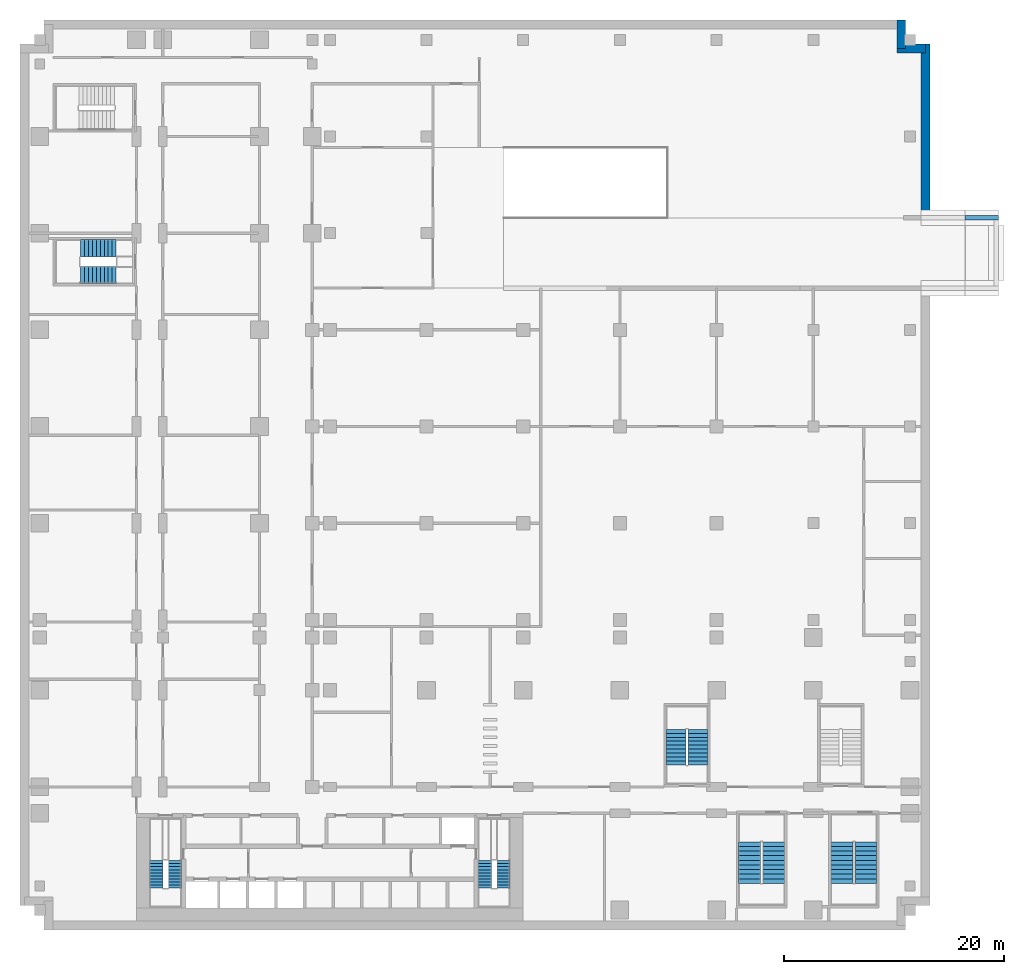
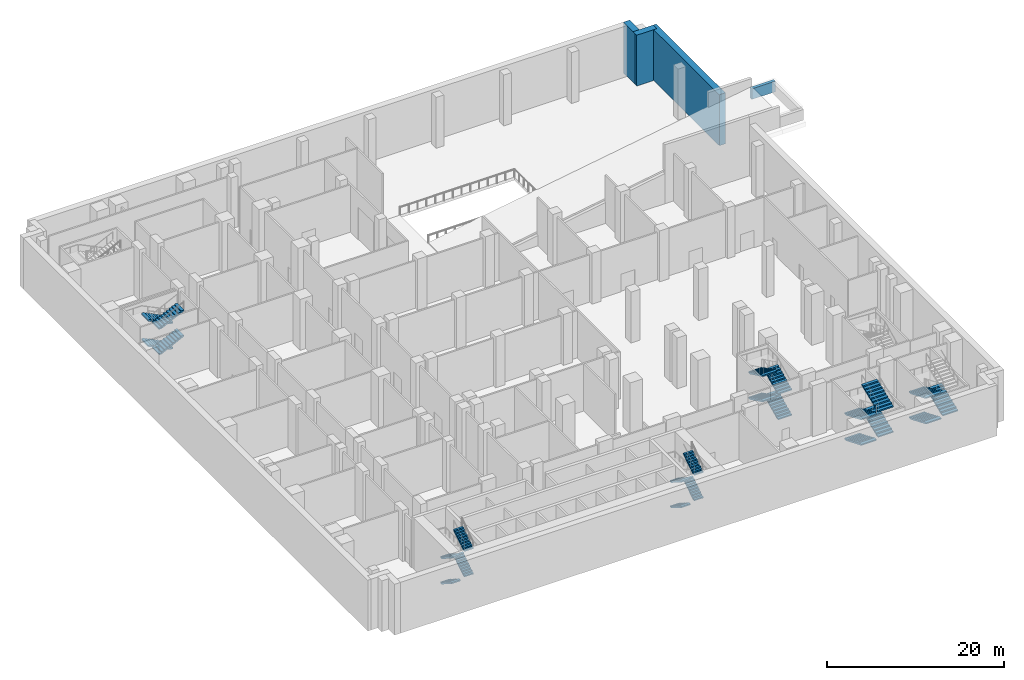
# One storey, part 9 of 15: 23 stair flights, 4 walls, 6 elements without a shape of their own.
"""IFC4 building model written with IfcOpenShell, lengths in metres."""

from ifc_helpers import new_model, si_unit, direction, frame, frame_2d, origin, place, context, subcontext, project, spatial, polyline, rectangle, outline, extrude, material, layer, layer_set, type_object, element, aggregate, save


model = new_model("IFC4")

# Units and contexts
model_context = context("Model", 3, precision=1e-05, world=origin(), true_north=direction((0.0, 1.0)))
body_context = subcontext(model_context, "Body", "Model", "MODEL_VIEW")
ifc_project = project(units=[si_unit("LENGTHUNIT", "METRE"), si_unit("AREAUNIT", "SQUARE_METRE"), si_unit("VOLUMEUNIT", "CUBIC_METRE"), si_unit("PLANEANGLEUNIT", "RADIAN"), si_unit("MASSUNIT", "GRAM", prefix="KILO")], contexts=[model_context])

# Site, building, storey
site_placement = place(None, origin())
site = spatial("IfcSite", under=ifc_project, at=site_placement, CompositionType="ELEMENT")
building_placement = place(site_placement, origin())
building = spatial("IfcBuilding", under=site, at=building_placement, Name="Kemantara Hotel Tower", CompositionType="ELEMENT")
storey_placement = place(building_placement, frame((0.0, 0.0, -7.0)))
storey = spatial("IfcBuildingStorey", under=building, at=storey_placement, Name="B1", CompositionType="ELEMENT", Elevation=-7.0)

# Walls
ifc_material = material(Name="Concrete fc 40 MPa", Category="concrete")
ifc_layer_1 = layer(ifc_material, 0.800048828125)
ifc_layer_set_1 = layer_set([ifc_layer_1], Name="Concrete fc 40 MPa")
wall_type_1 = type_object("IfcWallType", Name="BASEMENT PERIMETER WALL 800 FC40", PredefinedType="SHEAR", material=ifc_layer_set_1)
wall_1_placement = place(storey_placement, frame((81.60009765625, 79.800048828125, 0.0), z_axis=(0.0, 0.0, 1.0), x_axis=(0.0, -1.0, 0.0)))
element("IfcWall", 1, at=wall_1_placement, inside=storey, type_object=wall_type_1, Name="BASEMENT PERIMETER WALL B1 1", PredefinedType="SHEAR", context=body_context, shape_type="SweptSolid", body=[
    extrude(rectangle(XDim=15.60009765625, YDim=0.800048828125, at=frame_2d((7.800048828125, 0.0))), origin(), (0.0, 0.0, 1.0), 7.0),
])
for number, where, z_axis, x_axis, name in (
    (2, (79.39990234375, 82.0, 0.0), (0.0, 0.0, 1.0), (0.0, -1.0, 0.0), "BASEMENT PERIMETER WALL B1 11"),
    (3, (79.0, 79.39990234375, 0.0), (0.0, 0.0, 1.0), (1.0, 0.0, 0.0), "BASEMENT PERIMETER WALL B1 12"),
):
    element("IfcWall", number, at=place(storey_placement, frame(where, z_axis=z_axis, x_axis=x_axis)), inside=storey, type_object=wall_type_1, Name=name, PredefinedType="SHEAR", context=body_context, shape_type="SweptSolid", body=[
        extrude(rectangle(XDim=2.60009765625, YDim=0.800048828125, at=frame_2d((1.300048828125, 0.0))), origin(), (0.0, 0.0, 1.0), 7.0),
    ])
ifc_layer_2 = layer(ifc_material, 0.39990234375)
ifc_layer_set_2 = layer_set([ifc_layer_2], Name="Concrete fc 40 MPa")
wall_type_2 = type_object("IfcWallType", Name="RAMP WALL 400 FC40", PredefinedType="SHEAR", material=ifc_layer_set_2)
wall_2_placement = place(storey_placement, frame((85.199951171875, 64.0, 5.199951171875), z_axis=(0.0, 0.0, 1.0), x_axis=(1.0, 0.0, 0.0)))
element("IfcWall", 4, at=wall_2_placement, inside=storey, type_object=wall_type_2, Name="RAMP ABUTMENT SIDE WALL N", PredefinedType="SHEAR", context=body_context, shape_type="SweptSolid", body=[
    extrude(outline(polyline([(0.0, 0.0), (3.056884765625, 0.0), (3.056640625, 1.449951171875), (1.5283203125, 1.449951171875), (0.0, 1.449951171875), (0.0, 0.0)])), frame((0.0, 0.199951171875, 0.0), z_axis=(0.0, -1.0, 0.0), x_axis=(1.0, 0.0, 0.0)), (0.0, 0.0, 1.0), 0.39990234375),
])

# Stair, stair flights
stair_type_1 = type_object("IfcStairType", Name="Stair 1200 wide 40 risers of 175 x 280 mm", PredefinedType="HALF_TURN_STAIR", material=ifc_material)
stair_1_placement = place(storey_placement, origin())
stair_1 = element("IfcStair", 5, at=stair_1_placement, inside=storey, type_object=stair_type_1, Name="B1 Exit stair ST1", PredefinedType="HALF_TURN_STAIR")
stair_flight_type_1 = type_object("IfcStairFlightType", Name="Stair flight 1200 wide 175 x 280 mm", PredefinedType="STRAIGHT", material=ifc_material)
stair_flight_1_placement = place(storey_placement, frame((11.60009765625, 5.5, 0.0), z_axis=(0.0, 0.0, 1.0), x_axis=(0.0, -1.0, 0.0)))
stair_flight_1 = element("IfcStairFlight", 6, at=stair_flight_1_placement, type_object=stair_flight_type_1, Name="ST1 flight 1", NumberOfRisers=10, NumberOfTreads=9, PredefinedType="STRAIGHT", RiserHeight=0.175, TreadLength=0.28, context=body_context, shape_type="SweptSolid", body=[
    extrude(outline(polyline([(0.0, 0.0), (0.0, 0.175048828125), (0.280029296875, 0.175048828125), (0.280029296875, 0.35009765625), (0.56005859375, 0.35009765625), (0.56005859375, 0.52490234375), (0.840087890625, 0.52490234375), (0.840087890625, 0.699951171875), (1.1201171875, 0.699951171875), (1.1201171875, 0.875), (1.39990234375, 0.875), (1.39990234375, 1.050048828125), (1.679931640625, 1.050048828125), (1.679931640625, 1.22509765625), (1.9599609375, 1.22509765625), (1.9599609375, 1.39990234375), (2.239990234375, 1.39990234375), (2.239990234375, 1.574951171875), (2.52001953125, 1.574951171875), (2.52001953125, 1.75), (2.52001953125, 1.398193359375), (0.28271484375, 0.0), (0.0, 0.0)])), frame((0.0, 0.60009765625, 0.0), z_axis=(0.0, -1.0, 0.0), x_axis=(1.0, 0.0, 0.0)), (0.0, 0.0, 1.0), 1.199951171875),
])
stair_flight_2_placement = place(storey_placement, frame((13.300048828125, 2.97998046875, 1.75), z_axis=(0.0, 0.0, 1.0), x_axis=(0.0, 1.0, 0.0)))
stair_flight_2 = element("IfcStairFlight", 7, at=stair_flight_2_placement, type_object=stair_flight_type_1, Name="ST1 flight 2", NumberOfRisers=10, NumberOfTreads=9, PredefinedType="STRAIGHT", RiserHeight=0.175, TreadLength=0.28, context=body_context, shape_type="SweptSolid", body=[
    extrude(outline(polyline([(0.0, 0.0), (0.0, 0.175048828125), (0.280029296875, 0.175048828125), (0.280029296875, 0.35009765625), (0.56005859375, 0.35009765625), (0.56005859375, 0.52490234375), (0.840087890625, 0.52490234375), (0.840087890625, 0.699951171875), (1.1201171875, 0.699951171875), (1.1201171875, 0.875), (1.39990234375, 0.875), (1.39990234375, 1.050048828125), (1.679931640625, 1.050048828125), (1.679931640625, 1.22509765625), (1.9599609375, 1.22509765625), (1.9599609375, 1.39990234375), (2.239990234375, 1.39990234375), (2.239990234375, 1.574951171875), (2.52001953125, 1.574951171875), (2.52001953125, 1.75), (2.52001953125, 1.398193359375), (0.28271484375, 0.0), (0.0, 0.0)])), frame((0.0, 0.60009765625, 0.0), z_axis=(0.0, -1.0, 0.0), x_axis=(1.0, 0.0, 0.0)), (0.0, 0.0, 1.0), 1.199951171875),
])
stair_flight_3_placement = place(storey_placement, frame((11.60009765625, 5.5, 3.5), z_axis=(0.0, 0.0, 1.0), x_axis=(0.0, -1.0, 0.0)))
stair_flight_3 = element("IfcStairFlight", 8, at=stair_flight_3_placement, type_object=stair_flight_type_1, Name="ST1 flight 3", NumberOfRisers=10, NumberOfTreads=9, PredefinedType="STRAIGHT", RiserHeight=0.175, TreadLength=0.28, context=body_context, shape_type="SweptSolid", body=[
    extrude(outline(polyline([(0.0, 0.0), (0.0, 0.175048828125), (0.280029296875, 0.175048828125), (0.280029296875, 0.35009765625), (0.56005859375, 0.35009765625), (0.56005859375, 0.52490234375), (0.840087890625, 0.52490234375), (0.840087890625, 0.699951171875), (1.1201171875, 0.699951171875), (1.1201171875, 0.875), (1.39990234375, 0.875), (1.39990234375, 1.050048828125), (1.679931640625, 1.050048828125), (1.679931640625, 1.22509765625), (1.9599609375, 1.22509765625), (1.9599609375, 1.39990234375), (2.239990234375, 1.39990234375), (2.239990234375, 1.574951171875), (2.52001953125, 1.574951171875), (2.52001953125, 1.75), (2.52001953125, 1.398193359375), (0.28271484375, 0.0), (0.0, 0.0)])), frame((0.0, 0.60009765625, 0.0), z_axis=(0.0, -1.0, 0.0), x_axis=(1.0, 0.0, 0.0)), (0.0, 0.0, 1.0), 1.199951171875),
])
stair_flight_4_placement = place(storey_placement, frame((13.300048828125, 2.97998046875, 5.25), z_axis=(0.0, 0.0, 1.0), x_axis=(0.0, 1.0, 0.0)))
stair_flight_4 = element("IfcStairFlight", 9, at=stair_flight_4_placement, type_object=stair_flight_type_1, Name="ST1 flight 4", NumberOfRisers=10, NumberOfTreads=9, PredefinedType="STRAIGHT", RiserHeight=0.175, TreadLength=0.28, context=body_context, shape_type="SweptSolid", body=[
    extrude(outline(polyline([(0.0, 0.0), (0.0, 0.175048828125), (0.280029296875, 0.175048828125), (0.280029296875, 0.35009765625), (0.56005859375, 0.35009765625), (0.56005859375, 0.52490234375), (0.840087890625, 0.52490234375), (0.840087890625, 0.699951171875), (1.1201171875, 0.699951171875), (1.1201171875, 0.875), (1.39990234375, 0.875), (1.39990234375, 1.050048828125), (1.679931640625, 1.050048828125), (1.679931640625, 1.22509765625), (1.9599609375, 1.22509765625), (1.9599609375, 1.39990234375), (2.239990234375, 1.39990234375), (2.239990234375, 1.574951171875), (2.52001953125, 1.574951171875), (2.52001953125, 1.75), (2.52001953125, 1.398193359375), (0.28271484375, 0.0), (0.0, 0.0)])), frame((0.0, 0.60009765625, 0.0), z_axis=(0.0, -1.0, 0.0), x_axis=(1.0, 0.0, 0.0)), (0.0, 0.0, 1.0), 1.199951171875),
])
aggregate(stair_1, [stair_flight_1, stair_flight_2, stair_flight_3, stair_flight_4])

stair_2_placement = place(storey_placement, origin())
stair_2 = element("IfcStair", 10, at=stair_2_placement, inside=storey, type_object=stair_type_1, Name="B1 Exit stair ST2", PredefinedType="HALF_TURN_STAIR")
stair_flight_5_placement = place(storey_placement, frame((41.5, 5.5, 0.0), z_axis=(0.0, 0.0, 1.0), x_axis=(0.0, -1.0, 0.0)))
stair_flight_5 = element("IfcStairFlight", 11, at=stair_flight_5_placement, type_object=stair_flight_type_1, Name="ST2 flight 1", NumberOfRisers=10, NumberOfTreads=9, PredefinedType="STRAIGHT", RiserHeight=0.175, TreadLength=0.28, context=body_context, shape_type="SweptSolid", body=[
    extrude(outline(polyline([(0.0, 0.0), (0.0, 0.175048828125), (0.280029296875, 0.175048828125), (0.280029296875, 0.35009765625), (0.56005859375, 0.35009765625), (0.56005859375, 0.52490234375), (0.840087890625, 0.52490234375), (0.840087890625, 0.699951171875), (1.1201171875, 0.699951171875), (1.1201171875, 0.875), (1.39990234375, 0.875), (1.39990234375, 1.050048828125), (1.679931640625, 1.050048828125), (1.679931640625, 1.22509765625), (1.9599609375, 1.22509765625), (1.9599609375, 1.39990234375), (2.239990234375, 1.39990234375), (2.239990234375, 1.574951171875), (2.52001953125, 1.574951171875), (2.52001953125, 1.75), (2.52001953125, 1.398193359375), (0.28271484375, 0.0), (0.0, 0.0)])), frame((0.0, 0.60009765625, 0.0), z_axis=(0.0, -1.0, 0.0), x_axis=(1.0, 0.0, 0.0)), (0.0, 0.0, 1.0), 1.199951171875),
])
stair_flight_6_placement = place(storey_placement, frame((43.199951171875, 2.97998046875, 1.75), z_axis=(0.0, 0.0, 1.0), x_axis=(0.0, 1.0, 0.0)))
stair_flight_6 = element("IfcStairFlight", 12, at=stair_flight_6_placement, type_object=stair_flight_type_1, Name="ST2 flight 2", NumberOfRisers=10, NumberOfTreads=9, PredefinedType="STRAIGHT", RiserHeight=0.175, TreadLength=0.28, context=body_context, shape_type="SweptSolid", body=[
    extrude(outline(polyline([(0.0, 0.0), (0.0, 0.175048828125), (0.280029296875, 0.175048828125), (0.280029296875, 0.35009765625), (0.56005859375, 0.35009765625), (0.56005859375, 0.52490234375), (0.840087890625, 0.52490234375), (0.840087890625, 0.699951171875), (1.1201171875, 0.699951171875), (1.1201171875, 0.875), (1.39990234375, 0.875), (1.39990234375, 1.050048828125), (1.679931640625, 1.050048828125), (1.679931640625, 1.22509765625), (1.9599609375, 1.22509765625), (1.9599609375, 1.39990234375), (2.239990234375, 1.39990234375), (2.239990234375, 1.574951171875), (2.52001953125, 1.574951171875), (2.52001953125, 1.75), (2.52001953125, 1.398193359375), (0.28271484375, 0.0), (0.0, 0.0)])), frame((0.0, 0.60009765625, 0.0), z_axis=(0.0, -1.0, 0.0), x_axis=(1.0, 0.0, 0.0)), (0.0, 0.0, 1.0), 1.199951171875),
])
stair_flight_7_placement = place(storey_placement, frame((41.5, 5.5, 3.5), z_axis=(0.0, 0.0, 1.0), x_axis=(0.0, -1.0, 0.0)))
stair_flight_7 = element("IfcStairFlight", 13, at=stair_flight_7_placement, type_object=stair_flight_type_1, Name="ST2 flight 3", NumberOfRisers=10, NumberOfTreads=9, PredefinedType="STRAIGHT", RiserHeight=0.175, TreadLength=0.28, context=body_context, shape_type="SweptSolid", body=[
    extrude(outline(polyline([(0.0, 0.0), (0.0, 0.175048828125), (0.280029296875, 0.175048828125), (0.280029296875, 0.35009765625), (0.56005859375, 0.35009765625), (0.56005859375, 0.52490234375), (0.840087890625, 0.52490234375), (0.840087890625, 0.699951171875), (1.1201171875, 0.699951171875), (1.1201171875, 0.875), (1.39990234375, 0.875), (1.39990234375, 1.050048828125), (1.679931640625, 1.050048828125), (1.679931640625, 1.22509765625), (1.9599609375, 1.22509765625), (1.9599609375, 1.39990234375), (2.239990234375, 1.39990234375), (2.239990234375, 1.574951171875), (2.52001953125, 1.574951171875), (2.52001953125, 1.75), (2.52001953125, 1.398193359375), (0.28271484375, 0.0), (0.0, 0.0)])), frame((0.0, 0.60009765625, 0.0), z_axis=(0.0, -1.0, 0.0), x_axis=(1.0, 0.0, 0.0)), (0.0, 0.0, 1.0), 1.199951171875),
])
stair_flight_8_placement = place(storey_placement, frame((43.199951171875, 2.97998046875, 5.25), z_axis=(0.0, 0.0, 1.0), x_axis=(0.0, 1.0, 0.0)))
stair_flight_8 = element("IfcStairFlight", 14, at=stair_flight_8_placement, type_object=stair_flight_type_1, Name="ST2 flight 4", NumberOfRisers=10, NumberOfTreads=9, PredefinedType="STRAIGHT", RiserHeight=0.175, TreadLength=0.28, context=body_context, shape_type="SweptSolid", body=[
    extrude(outline(polyline([(0.0, 0.0), (0.0, 0.175048828125), (0.280029296875, 0.175048828125), (0.280029296875, 0.35009765625), (0.56005859375, 0.35009765625), (0.56005859375, 0.52490234375), (0.840087890625, 0.52490234375), (0.840087890625, 0.699951171875), (1.1201171875, 0.699951171875), (1.1201171875, 0.875), (1.39990234375, 0.875), (1.39990234375, 1.050048828125), (1.679931640625, 1.050048828125), (1.679931640625, 1.22509765625), (1.9599609375, 1.22509765625), (1.9599609375, 1.39990234375), (2.239990234375, 1.39990234375), (2.239990234375, 1.574951171875), (2.52001953125, 1.574951171875), (2.52001953125, 1.75), (2.52001953125, 1.398193359375), (0.28271484375, 0.0), (0.0, 0.0)])), frame((0.0, 0.60009765625, 0.0), z_axis=(0.0, -1.0, 0.0), x_axis=(1.0, 0.0, 0.0)), (0.0, 0.0, 1.0), 1.199951171875),
])
aggregate(stair_2, [stair_flight_5, stair_flight_6, stair_flight_7, stair_flight_8])

stair_type_2 = type_object("IfcStairType", Name="Stair 1550 wide 40 risers of 175 x 360 mm", PredefinedType="HALF_TURN_STAIR", material=ifc_material)
stair_3_placement = place(storey_placement, origin())
stair_3 = element("IfcStair", 15, at=stair_3_placement, inside=storey, type_object=stair_type_2, Name="B1 Exit stair ST4", PredefinedType="HALF_TURN_STAIR")
stair_flight_type_2 = type_object("IfcStairFlightType", Name="Stair flight 1550 wide 175 x 360 mm", PredefinedType="STRAIGHT", material=ifc_material)
stair_flight_9_placement = place(storey_placement, frame((7.949951171875, 61.22509765625, 0.0), z_axis=(0.0, 0.0, 1.0), x_axis=(-1.0, 0.0, 0.0)))
stair_flight_9 = element("IfcStairFlight", 16, at=stair_flight_9_placement, type_object=stair_flight_type_2, Name="ST4 flight 1", NumberOfRisers=10, NumberOfTreads=9, PredefinedType="STRAIGHT", RiserHeight=0.175, TreadLength=0.36, context=body_context, shape_type="SweptSolid", body=[
    extrude(outline(polyline([(0.0, 0.0), (0.0, 0.175048828125), (0.360107421875, 0.175048828125), (0.360107421875, 0.35009765625), (0.719970703125, 0.35009765625), (0.719970703125, 0.52490234375), (1.080078125, 0.52490234375), (1.080078125, 0.699951171875), (1.43994140625, 0.699951171875), (1.43994140625, 0.875), (1.800048828125, 0.875), (1.800048828125, 1.050048828125), (2.159912109375, 1.050048828125), (2.159912109375, 1.22509765625), (2.52001953125, 1.22509765625), (2.52001953125, 1.39990234375), (2.8798828125, 1.39990234375), (2.8798828125, 1.574951171875), (3.239990234375, 1.574951171875), (3.239990234375, 1.75), (3.239990234375, 1.408203125), (0.3427734375, 0.0), (0.0, 0.0)])), frame((0.0, 0.77490234375, 0.0), z_axis=(0.0, -1.0, 0.0), x_axis=(1.0, 0.0, 0.0)), (0.0, 0.0, 1.0), 1.550048828125),
])
stair_flight_10_placement = place(storey_placement, frame((4.7099609375, 58.77490234375, 1.75), z_axis=(0.0, 0.0, 1.0), x_axis=(1.0, 0.0, 0.0)))
stair_flight_10 = element("IfcStairFlight", 17, at=stair_flight_10_placement, type_object=stair_flight_type_2, Name="ST4 flight 2", NumberOfRisers=10, NumberOfTreads=9, PredefinedType="STRAIGHT", RiserHeight=0.175, TreadLength=0.36, context=body_context, shape_type="SweptSolid", body=[
    extrude(outline(polyline([(0.0, 0.0), (0.0, 0.175048828125), (0.360107421875, 0.175048828125), (0.360107421875, 0.35009765625), (0.719970703125, 0.35009765625), (0.719970703125, 0.52490234375), (1.080078125, 0.52490234375), (1.080078125, 0.699951171875), (1.43994140625, 0.699951171875), (1.43994140625, 0.875), (1.800048828125, 0.875), (1.800048828125, 1.050048828125), (2.159912109375, 1.050048828125), (2.159912109375, 1.22509765625), (2.52001953125, 1.22509765625), (2.52001953125, 1.39990234375), (2.8798828125, 1.39990234375), (2.8798828125, 1.574951171875), (3.239990234375, 1.574951171875), (3.239990234375, 1.75), (3.239990234375, 1.408203125), (0.3427734375, 0.0), (0.0, 0.0)])), frame((0.0, 0.77490234375, 0.0), z_axis=(0.0, -1.0, 0.0), x_axis=(1.0, 0.0, 0.0)), (0.0, 0.0, 1.0), 1.550048828125),
])
stair_flight_11_placement = place(storey_placement, frame((7.949951171875, 61.22509765625, 3.5), z_axis=(0.0, 0.0, 1.0), x_axis=(-1.0, 0.0, 0.0)))
stair_flight_11 = element("IfcStairFlight", 18, at=stair_flight_11_placement, type_object=stair_flight_type_2, Name="ST4 flight 3", NumberOfRisers=10, NumberOfTreads=9, PredefinedType="STRAIGHT", RiserHeight=0.175, TreadLength=0.36, context=body_context, shape_type="SweptSolid", body=[
    extrude(outline(polyline([(0.0, 0.0), (0.0, 0.175048828125), (0.360107421875, 0.175048828125), (0.360107421875, 0.35009765625), (0.719970703125, 0.35009765625), (0.719970703125, 0.52490234375), (1.080078125, 0.52490234375), (1.080078125, 0.699951171875), (1.43994140625, 0.699951171875), (1.43994140625, 0.875), (1.800048828125, 0.875), (1.800048828125, 1.050048828125), (2.159912109375, 1.050048828125), (2.159912109375, 1.22509765625), (2.52001953125, 1.22509765625), (2.52001953125, 1.39990234375), (2.8798828125, 1.39990234375), (2.8798828125, 1.574951171875), (3.239990234375, 1.574951171875), (3.239990234375, 1.75), (3.239990234375, 1.408203125), (0.3427734375, 0.0), (0.0, 0.0)])), frame((0.0, 0.77490234375, 0.0), z_axis=(0.0, -1.0, 0.0), x_axis=(1.0, 0.0, 0.0)), (0.0, 0.0, 1.0), 1.550048828125),
])
stair_flight_12_placement = place(storey_placement, frame((4.7099609375, 58.77490234375, 5.25), z_axis=(0.0, 0.0, 1.0), x_axis=(1.0, 0.0, 0.0)))
stair_flight_12 = element("IfcStairFlight", 19, at=stair_flight_12_placement, type_object=stair_flight_type_2, Name="ST4 flight 4", NumberOfRisers=10, NumberOfTreads=9, PredefinedType="STRAIGHT", RiserHeight=0.175, TreadLength=0.36, context=body_context, shape_type="SweptSolid", body=[
    extrude(outline(polyline([(0.0, 0.0), (0.0, 0.175048828125), (0.360107421875, 0.175048828125), (0.360107421875, 0.35009765625), (0.719970703125, 0.35009765625), (0.719970703125, 0.52490234375), (1.080078125, 0.52490234375), (1.080078125, 0.699951171875), (1.43994140625, 0.699951171875), (1.43994140625, 0.875), (1.800048828125, 0.875), (1.800048828125, 1.050048828125), (2.159912109375, 1.050048828125), (2.159912109375, 1.22509765625), (2.52001953125, 1.22509765625), (2.52001953125, 1.39990234375), (2.8798828125, 1.39990234375), (2.8798828125, 1.574951171875), (3.239990234375, 1.574951171875), (3.239990234375, 1.75), (3.239990234375, 1.408203125), (0.3427734375, 0.0), (0.0, 0.0)])), frame((0.0, 0.77490234375, 0.0), z_axis=(0.0, -1.0, 0.0), x_axis=(1.0, 0.0, 0.0)), (0.0, 0.0, 1.0), 1.550048828125),
])
aggregate(stair_3, [stair_flight_9, stair_flight_10, stair_flight_11, stair_flight_12])

stair_type_3 = type_object("IfcStairType", Name="Stair 1800 wide 40 risers of 175 x 360 mm", PredefinedType="HALF_TURN_STAIR", material=ifc_material)
stair_4_placement = place(storey_placement, origin())
stair_4 = element("IfcStair", 20, at=stair_4_placement, inside=storey, type_object=stair_type_3, Name="B1 Exit stair ST3", PredefinedType="HALF_TURN_STAIR")
stair_flight_type_3 = type_object("IfcStairFlightType", Name="Stair flight 1800 wide 175 x 360 mm", PredefinedType="STRAIGHT", material=ifc_material)
stair_flight_13_placement = place(storey_placement, frame((60.89990234375, 14.199951171875, 0.0), z_axis=(0.0, 0.0, 1.0), x_axis=(0.0, 1.0, 0.0)))
stair_flight_13 = element("IfcStairFlight", 21, at=stair_flight_13_placement, type_object=stair_flight_type_3, Name="ST3 flight 1", NumberOfRisers=10, NumberOfTreads=9, PredefinedType="STRAIGHT", RiserHeight=0.175, TreadLength=0.36, context=body_context, shape_type="SweptSolid", body=[
    extrude(outline(polyline([(0.0, 0.0), (0.0, 0.175048828125), (0.360107421875, 0.175048828125), (0.360107421875, 0.35009765625), (0.719970703125, 0.35009765625), (0.719970703125, 0.52490234375), (1.080078125, 0.52490234375), (1.080078125, 0.699951171875), (1.43994140625, 0.699951171875), (1.43994140625, 0.875), (1.800048828125, 0.875), (1.800048828125, 1.050048828125), (2.159912109375, 1.050048828125), (2.159912109375, 1.22509765625), (2.52001953125, 1.22509765625), (2.52001953125, 1.39990234375), (2.8798828125, 1.39990234375), (2.8798828125, 1.574951171875), (3.239990234375, 1.574951171875), (3.239990234375, 1.75), (3.239990234375, 1.408203125), (0.3427734375, 0.0), (0.0, 0.0)])), frame((0.0, 0.89990234375, 0.0), z_axis=(0.0, -1.0, 0.0), x_axis=(1.0, 0.0, 0.0)), (0.0, 0.0, 1.0), 1.800048828125),
])
stair_flight_14_placement = place(storey_placement, frame((58.89990234375, 17.43994140625, 1.75), z_axis=(0.0, 0.0, 1.0), x_axis=(0.0, -1.0, 0.0)))
stair_flight_14 = element("IfcStairFlight", 22, at=stair_flight_14_placement, type_object=stair_flight_type_3, Name="ST3 flight 2", NumberOfRisers=10, NumberOfTreads=9, PredefinedType="STRAIGHT", RiserHeight=0.175, TreadLength=0.36, context=body_context, shape_type="SweptSolid", body=[
    extrude(outline(polyline([(0.0, 0.0), (0.0, 0.175048828125), (0.360107421875, 0.175048828125), (0.360107421875, 0.35009765625), (0.719970703125, 0.35009765625), (0.719970703125, 0.52490234375), (1.080078125, 0.52490234375), (1.080078125, 0.699951171875), (1.43994140625, 0.699951171875), (1.43994140625, 0.875), (1.800048828125, 0.875), (1.800048828125, 1.050048828125), (2.159912109375, 1.050048828125), (2.159912109375, 1.22509765625), (2.52001953125, 1.22509765625), (2.52001953125, 1.39990234375), (2.8798828125, 1.39990234375), (2.8798828125, 1.574951171875), (3.239990234375, 1.574951171875), (3.239990234375, 1.75), (3.239990234375, 1.408203125), (0.3427734375, 0.0), (0.0, 0.0)])), frame((0.0, 0.89990234375, 0.0), z_axis=(0.0, -1.0, 0.0), x_axis=(1.0, 0.0, 0.0)), (0.0, 0.0, 1.0), 1.800048828125),
])
stair_flight_15_placement = place(storey_placement, frame((60.89990234375, 14.199951171875, 3.5), z_axis=(0.0, 0.0, 1.0), x_axis=(0.0, 1.0, 0.0)))
stair_flight_15 = element("IfcStairFlight", 23, at=stair_flight_15_placement, type_object=stair_flight_type_3, Name="ST3 flight 3", NumberOfRisers=10, NumberOfTreads=9, PredefinedType="STRAIGHT", RiserHeight=0.175, TreadLength=0.36, context=body_context, shape_type="SweptSolid", body=[
    extrude(outline(polyline([(0.0, 0.0), (0.0, 0.175048828125), (0.360107421875, 0.175048828125), (0.360107421875, 0.35009765625), (0.719970703125, 0.35009765625), (0.719970703125, 0.52490234375), (1.080078125, 0.52490234375), (1.080078125, 0.699951171875), (1.43994140625, 0.699951171875), (1.43994140625, 0.875), (1.800048828125, 0.875), (1.800048828125, 1.050048828125), (2.159912109375, 1.050048828125), (2.159912109375, 1.22509765625), (2.52001953125, 1.22509765625), (2.52001953125, 1.39990234375), (2.8798828125, 1.39990234375), (2.8798828125, 1.574951171875), (3.239990234375, 1.574951171875), (3.239990234375, 1.75), (3.239990234375, 1.408203125), (0.3427734375, 0.0), (0.0, 0.0)])), frame((0.0, 0.89990234375, 0.0), z_axis=(0.0, -1.0, 0.0), x_axis=(1.0, 0.0, 0.0)), (0.0, 0.0, 1.0), 1.800048828125),
])
stair_flight_16_placement = place(storey_placement, frame((58.89990234375, 17.43994140625, 5.25), z_axis=(0.0, 0.0, 1.0), x_axis=(0.0, -1.0, 0.0)))
stair_flight_16 = element("IfcStairFlight", 24, at=stair_flight_16_placement, type_object=stair_flight_type_3, Name="ST3 flight 4", NumberOfRisers=10, NumberOfTreads=9, PredefinedType="STRAIGHT", RiserHeight=0.175, TreadLength=0.36, context=body_context, shape_type="SweptSolid", body=[
    extrude(outline(polyline([(0.0, 0.0), (0.0, 0.175048828125), (0.360107421875, 0.175048828125), (0.360107421875, 0.35009765625), (0.719970703125, 0.35009765625), (0.719970703125, 0.52490234375), (1.080078125, 0.52490234375), (1.080078125, 0.699951171875), (1.43994140625, 0.699951171875), (1.43994140625, 0.875), (1.800048828125, 0.875), (1.800048828125, 1.050048828125), (2.159912109375, 1.050048828125), (2.159912109375, 1.22509765625), (2.52001953125, 1.22509765625), (2.52001953125, 1.39990234375), (2.8798828125, 1.39990234375), (2.8798828125, 1.574951171875), (3.239990234375, 1.574951171875), (3.239990234375, 1.75), (3.239990234375, 1.408203125), (0.3427734375, 0.0), (0.0, 0.0)])), frame((0.0, 0.89990234375, 0.0), z_axis=(0.0, -1.0, 0.0), x_axis=(1.0, 0.0, 0.0)), (0.0, 0.0, 1.0), 1.800048828125),
])
aggregate(stair_4, [stair_flight_13, stair_flight_14, stair_flight_15, stair_flight_16])

stair_type_4 = type_object("IfcStairType", Name="Stair 2000 wide 40 risers of 175 x 420 mm", PredefinedType="HALF_TURN_STAIR", material=ifc_material)
stair_5_placement = place(storey_placement, origin())
stair_5 = element("IfcStair", 25, at=stair_5_placement, inside=storey, type_object=stair_type_4, Name="B1 Stair PS4", PredefinedType="HALF_TURN_STAIR")
stair_flight_type_4 = type_object("IfcStairFlightType", Name="Stair flight 2000 wide 175 x 420 mm", PredefinedType="STRAIGHT", material=ifc_material)
stair_flight_17_placement = place(storey_placement, frame((65.60009765625, 7.199951171875, 0.0), z_axis=(0.0, 0.0, 1.0), x_axis=(0.0, -1.0, 0.0)))
stair_flight_17 = element("IfcStairFlight", 26, at=stair_flight_17_placement, type_object=stair_flight_type_4, Name="PS4 flight 1", NumberOfRisers=10, NumberOfTreads=9, PredefinedType="STRAIGHT", RiserHeight=0.175, TreadLength=0.42, context=body_context, shape_type="SweptSolid", body=[
    extrude(outline(polyline([(0.0, 0.0), (0.0, 0.175048828125), (0.419921875, 0.175048828125), (0.419921875, 0.35009765625), (0.840087890625, 0.35009765625), (0.840087890625, 0.52490234375), (1.260009765625, 0.52490234375), (1.260009765625, 0.699951171875), (1.679931640625, 0.699951171875), (1.679931640625, 0.875), (2.10009765625, 0.875), (2.10009765625, 1.050048828125), (2.52001953125, 1.050048828125), (2.52001953125, 1.22509765625), (2.93994140625, 1.22509765625), (2.93994140625, 1.39990234375), (3.360107421875, 1.39990234375), (3.360107421875, 1.574951171875), (3.780029296875, 1.574951171875), (3.780029296875, 1.75), (3.780029296875, 1.41259765625), (0.3896484375, 0.0), (0.0, 0.0)])), frame((0.0, 1.0, 0.0), z_axis=(0.0, -1.0, 0.0), x_axis=(1.0, 0.0, 0.0)), (0.0, 0.0, 1.0), 2.0),
])
stair_flight_18_placement = place(storey_placement, frame((67.800048828125, 3.419921875, 1.75), z_axis=(0.0, 0.0, 1.0), x_axis=(0.0, 1.0, 0.0)))
stair_flight_18 = element("IfcStairFlight", 27, at=stair_flight_18_placement, type_object=stair_flight_type_4, Name="PS4 flight 2", NumberOfRisers=10, NumberOfTreads=9, PredefinedType="STRAIGHT", RiserHeight=0.175, TreadLength=0.42, context=body_context, shape_type="SweptSolid", body=[
    extrude(outline(polyline([(0.0, 0.0), (0.0, 0.175048828125), (0.419921875, 0.175048828125), (0.419921875, 0.35009765625), (0.840087890625, 0.35009765625), (0.840087890625, 0.52490234375), (1.260009765625, 0.52490234375), (1.260009765625, 0.699951171875), (1.679931640625, 0.699951171875), (1.679931640625, 0.875), (2.10009765625, 0.875), (2.10009765625, 1.050048828125), (2.52001953125, 1.050048828125), (2.52001953125, 1.22509765625), (2.93994140625, 1.22509765625), (2.93994140625, 1.39990234375), (3.360107421875, 1.39990234375), (3.360107421875, 1.574951171875), (3.780029296875, 1.574951171875), (3.780029296875, 1.75), (3.780029296875, 1.41259765625), (0.3896484375, 0.0), (0.0, 0.0)])), frame((0.0, 1.0, 0.0), z_axis=(0.0, -1.0, 0.0), x_axis=(1.0, 0.0, 0.0)), (0.0, 0.0, 1.0), 2.0),
])
stair_flight_19_placement = place(storey_placement, frame((65.60009765625, 7.199951171875, 3.5), z_axis=(0.0, 0.0, 1.0), x_axis=(0.0, -1.0, 0.0)))
stair_flight_19 = element("IfcStairFlight", 28, at=stair_flight_19_placement, type_object=stair_flight_type_4, Name="PS4 flight 3", NumberOfRisers=10, NumberOfTreads=9, PredefinedType="STRAIGHT", RiserHeight=0.175, TreadLength=0.42, context=body_context, shape_type="SweptSolid", body=[
    extrude(outline(polyline([(0.0, 0.0), (0.0, 0.175048828125), (0.419921875, 0.175048828125), (0.419921875, 0.35009765625), (0.840087890625, 0.35009765625), (0.840087890625, 0.52490234375), (1.260009765625, 0.52490234375), (1.260009765625, 0.699951171875), (1.679931640625, 0.699951171875), (1.679931640625, 0.875), (2.10009765625, 0.875), (2.10009765625, 1.050048828125), (2.52001953125, 1.050048828125), (2.52001953125, 1.22509765625), (2.93994140625, 1.22509765625), (2.93994140625, 1.39990234375), (3.360107421875, 1.39990234375), (3.360107421875, 1.574951171875), (3.780029296875, 1.574951171875), (3.780029296875, 1.75), (3.780029296875, 1.41259765625), (0.3896484375, 0.0), (0.0, 0.0)])), frame((0.0, 1.0, 0.0), z_axis=(0.0, -1.0, 0.0), x_axis=(1.0, 0.0, 0.0)), (0.0, 0.0, 1.0), 2.0),
])
stair_flight_20_placement = place(storey_placement, frame((67.800048828125, 3.419921875, 5.25), z_axis=(0.0, 0.0, 1.0), x_axis=(0.0, 1.0, 0.0)))
stair_flight_20 = element("IfcStairFlight", 29, at=stair_flight_20_placement, type_object=stair_flight_type_4, Name="PS4 flight 4", NumberOfRisers=10, NumberOfTreads=9, PredefinedType="STRAIGHT", RiserHeight=0.175, TreadLength=0.42, context=body_context, shape_type="SweptSolid", body=[
    extrude(outline(polyline([(0.0, 0.0), (0.0, 0.175048828125), (0.419921875, 0.175048828125), (0.419921875, 0.35009765625), (0.840087890625, 0.35009765625), (0.840087890625, 0.52490234375), (1.260009765625, 0.52490234375), (1.260009765625, 0.699951171875), (1.679931640625, 0.699951171875), (1.679931640625, 0.875), (2.10009765625, 0.875), (2.10009765625, 1.050048828125), (2.52001953125, 1.050048828125), (2.52001953125, 1.22509765625), (2.93994140625, 1.22509765625), (2.93994140625, 1.39990234375), (3.360107421875, 1.39990234375), (3.360107421875, 1.574951171875), (3.780029296875, 1.574951171875), (3.780029296875, 1.75), (3.780029296875, 1.41259765625), (0.3896484375, 0.0), (0.0, 0.0)])), frame((0.0, 1.0, 0.0), z_axis=(0.0, -1.0, 0.0), x_axis=(1.0, 0.0, 0.0)), (0.0, 0.0, 1.0), 2.0),
])
aggregate(stair_5, [stair_flight_17, stair_flight_18, stair_flight_19, stair_flight_20])

stair_6_placement = place(storey_placement, origin())
stair_6 = element("IfcStair", 30, at=stair_6_placement, inside=storey, type_object=stair_type_4, Name="B1 Stair PS5", PredefinedType="HALF_TURN_STAIR")
stair_flight_21_placement = place(storey_placement, frame((74.0, 7.199951171875, 0.0), z_axis=(0.0, 0.0, 1.0), x_axis=(0.0, -1.0, 0.0)))
stair_flight_21 = element("IfcStairFlight", 31, at=stair_flight_21_placement, type_object=stair_flight_type_4, Name="PS5 flight 1", NumberOfRisers=10, NumberOfTreads=9, PredefinedType="STRAIGHT", RiserHeight=0.175, TreadLength=0.42, context=body_context, shape_type="SweptSolid", body=[
    extrude(outline(polyline([(0.0, 0.0), (0.0, 0.175048828125), (0.419921875, 0.175048828125), (0.419921875, 0.35009765625), (0.840087890625, 0.35009765625), (0.840087890625, 0.52490234375), (1.260009765625, 0.52490234375), (1.260009765625, 0.699951171875), (1.679931640625, 0.699951171875), (1.679931640625, 0.875), (2.10009765625, 0.875), (2.10009765625, 1.050048828125), (2.52001953125, 1.050048828125), (2.52001953125, 1.22509765625), (2.93994140625, 1.22509765625), (2.93994140625, 1.39990234375), (3.360107421875, 1.39990234375), (3.360107421875, 1.574951171875), (3.780029296875, 1.574951171875), (3.780029296875, 1.75), (3.780029296875, 1.41259765625), (0.3896484375, 0.0), (0.0, 0.0)])), frame((0.0, 1.0, 0.0), z_axis=(0.0, -1.0, 0.0), x_axis=(1.0, 0.0, 0.0)), (0.0, 0.0, 1.0), 2.0),
])
stair_flight_22_placement = place(storey_placement, frame((76.199951171875, 3.419921875, 1.75), z_axis=(0.0, 0.0, 1.0), x_axis=(0.0, 1.0, 0.0)))
stair_flight_22 = element("IfcStairFlight", 32, at=stair_flight_22_placement, type_object=stair_flight_type_4, Name="PS5 flight 2", NumberOfRisers=10, NumberOfTreads=9, PredefinedType="STRAIGHT", RiserHeight=0.175, TreadLength=0.42, context=body_context, shape_type="SweptSolid", body=[
    extrude(outline(polyline([(0.0, 0.0), (0.0, 0.175048828125), (0.419921875, 0.175048828125), (0.419921875, 0.35009765625), (0.840087890625, 0.35009765625), (0.840087890625, 0.52490234375), (1.260009765625, 0.52490234375), (1.260009765625, 0.699951171875), (1.679931640625, 0.699951171875), (1.679931640625, 0.875), (2.10009765625, 0.875), (2.10009765625, 1.050048828125), (2.52001953125, 1.050048828125), (2.52001953125, 1.22509765625), (2.93994140625, 1.22509765625), (2.93994140625, 1.39990234375), (3.360107421875, 1.39990234375), (3.360107421875, 1.574951171875), (3.780029296875, 1.574951171875), (3.780029296875, 1.75), (3.780029296875, 1.41259765625), (0.3896484375, 0.0), (0.0, 0.0)])), frame((0.0, 1.0, 0.0), z_axis=(0.0, -1.0, 0.0), x_axis=(1.0, 0.0, 0.0)), (0.0, 0.0, 1.0), 2.0),
])
stair_flight_23_placement = place(storey_placement, frame((74.0, 7.199951171875, 3.5), z_axis=(0.0, 0.0, 1.0), x_axis=(0.0, -1.0, 0.0)))
stair_flight_23 = element("IfcStairFlight", 33, at=stair_flight_23_placement, type_object=stair_flight_type_4, Name="PS5 flight 3", NumberOfRisers=10, NumberOfTreads=9, PredefinedType="STRAIGHT", RiserHeight=0.175, TreadLength=0.42, context=body_context, shape_type="SweptSolid", body=[
    extrude(outline(polyline([(0.0, 0.0), (0.0, 0.175048828125), (0.419921875, 0.175048828125), (0.419921875, 0.35009765625), (0.840087890625, 0.35009765625), (0.840087890625, 0.52490234375), (1.260009765625, 0.52490234375), (1.260009765625, 0.699951171875), (1.679931640625, 0.699951171875), (1.679931640625, 0.875), (2.10009765625, 0.875), (2.10009765625, 1.050048828125), (2.52001953125, 1.050048828125), (2.52001953125, 1.22509765625), (2.93994140625, 1.22509765625), (2.93994140625, 1.39990234375), (3.360107421875, 1.39990234375), (3.360107421875, 1.574951171875), (3.780029296875, 1.574951171875), (3.780029296875, 1.75), (3.780029296875, 1.41259765625), (0.3896484375, 0.0), (0.0, 0.0)])), frame((0.0, 1.0, 0.0), z_axis=(0.0, -1.0, 0.0), x_axis=(1.0, 0.0, 0.0)), (0.0, 0.0, 1.0), 2.0),
])
aggregate(stair_6, [stair_flight_21, stair_flight_22, stair_flight_23])

save(model, "model.ifc")
